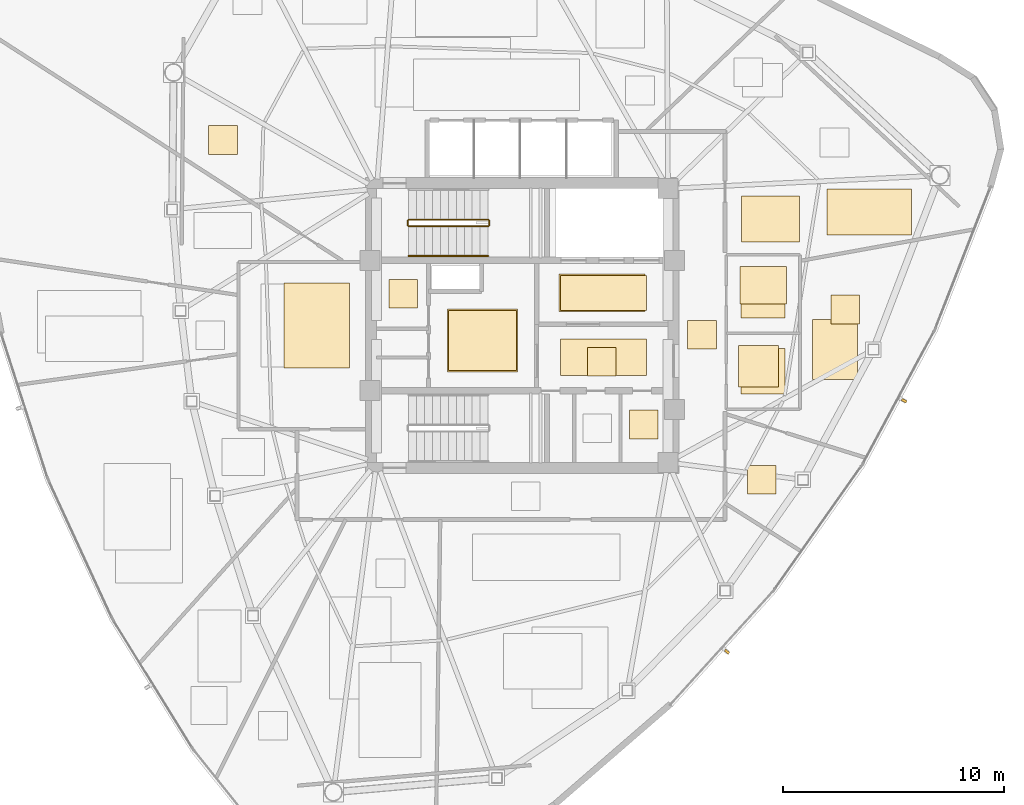
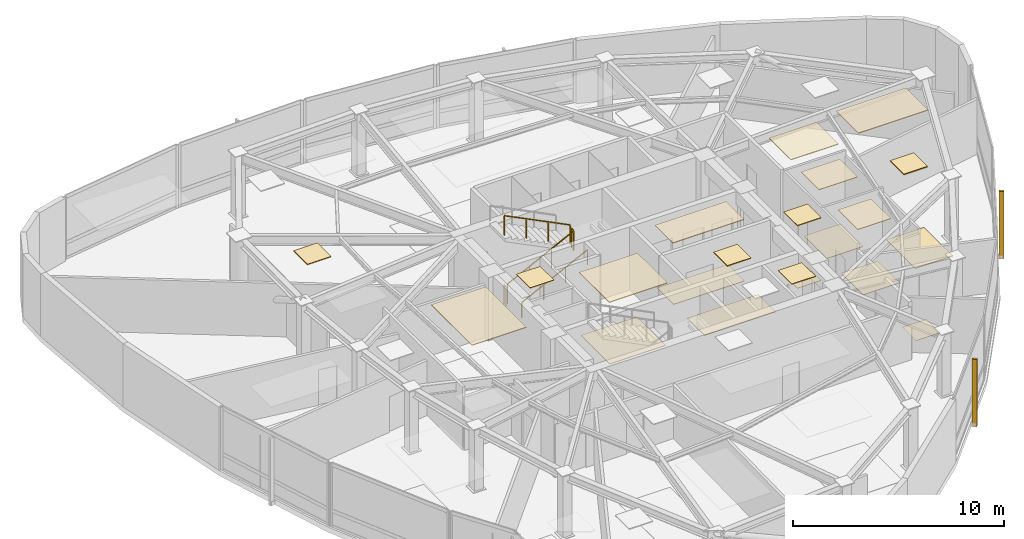
# One storey, part 13 of 14: 21 coverings, 5 railings, 2 shading devices.
"""IFC4 building model written with IfcOpenShell, lengths in metres."""

from ifc_helpers import new_model, si_unit, direction, frame, origin, origin_2d, place, context, subcontext, project, spatial, polyline, rectangle, outline, extrude, source, transform, mapped, material, layer, layer_set, type_object, type_shapes, element, save


model = new_model("IFC4")

# Units and contexts
model_context = context("Model", 3, precision=1e-05, world=origin(), true_north=direction((0.0, 1.0)))
body_context = subcontext(model_context, "Body", "Model", "MODEL_VIEW")
ifc_project = project(units=[si_unit("LENGTHUNIT", "METRE"), si_unit("AREAUNIT", "SQUARE_METRE"), si_unit("VOLUMEUNIT", "CUBIC_METRE"), si_unit("PLANEANGLEUNIT", "RADIAN"), si_unit("MASSUNIT", "GRAM", prefix="KILO")], contexts=[model_context])

# Site, building, storey
site_placement = place(None, origin())
site = spatial("IfcSite", under=ifc_project, at=site_placement, CompositionType="ELEMENT")
building_placement = place(site_placement, origin())
building = spatial("IfcBuilding", under=site, at=building_placement, Name="Tavelor Broadcast Tower", CompositionType="ELEMENT")
storey_placement = place(building_placement, frame((0.0, 0.0, 257.699951171875)))
storey = spatial("IfcBuildingStorey", under=building, at=storey_placement, Name="L61", CompositionType="ELEMENT", Elevation=257.699951171875)

# Coverings
ifc_material_1 = material(Name="Copper-Bronze Anodized Aluminium", Category="aluminium")
ifc_layer_1 = layer(ifc_material_1, 0.044921875)
ifc_layer_set_1 = layer_set([ifc_layer_1], Name="Copper-Bronze Anodized Aluminium")
covering_type_1 = type_object("IfcCoveringType", Name="Anodised Bronze Linear Slatted Concourse Ceiling 45 mm", PredefinedType="CEILING", material=ifc_layer_set_1)
covering_1_placement = place(storey_placement, frame((0.0, 0.0, 3.60498046875)))
element("IfcCovering", 1, at=covering_1_placement, inside=storey, type_object=covering_type_1, Name="L61 Suspended Acoustic Ceiling 2372", PredefinedType="CEILING", context=body_context, shape_type="SweptSolid", body=[
    extrude(outline(polyline([(51.659912109375, 45.6318359375), (55.55712890625, 45.6318359375), (55.55712890625, 47.328125), (51.659912109375, 47.328125), (51.659912109375, 45.6318359375)])), origin(), (0.0, 0.0, 1.0), 0.045166015625),
])
covering_2_placement = place(storey_placement, frame((0.0, 0.0, 3.60498046875)))
element("IfcCovering", 2, at=covering_2_placement, inside=storey, type_object=covering_type_1, Name="L61 Suspended Acoustic Ceiling 2373", PredefinedType="CEILING", context=body_context, shape_type="SweptSolid", body=[
    extrude(outline(polyline([(52.95361328125, 42.705078125), (54.25341796875, 42.705078125), (54.25341796875, 44.0048828125), (52.95361328125, 44.0048828125), (52.95361328125, 42.705078125)])), origin(), (0.0, 0.0, 1.0), 0.045166015625),
])

# Railing
ifc_material_2 = material(Name="Steel S355", Category="steel")
railing_type_1 = type_object("IfcRailingType", Name="Continuous Brushed Stainless Handrail 900 mm", PredefinedType="HANDRAIL", material=ifc_material_2)
railing_1_placement = place(storey_placement, frame((44.85009765625, 48.14990234375, 0.1796875)))
element("IfcRailing", 3, at=railing_1_placement, inside=storey, type_object=railing_type_1, Name="L61 ST1 stair handrail 1", PredefinedType="HANDRAIL", context=body_context, shape_type="SweptSolid", body=[
    extrude(rectangle(XDim=0.048095703125, YDim=0.048095703125, at=origin_2d()), frame((0.0, 0.0, 0.8759765625), z_axis=(0.894875846893, 0.0, 0.446315156192), x_axis=(0.0, 1.0, 0.0)), (0.0, 0.0, 1.0), 4.022705078125),
    extrude(rectangle(XDim=0.0419921875, YDim=0.0419921875, at=origin_2d()), origin(), (0.0, 0.0, 1.0), 0.851806640625),
    extrude(rectangle(XDim=0.0419921875, YDim=0.0419921875, at=origin_2d()), frame((1.199951171875, 0.0, 0.598388671875)), (0.0, 0.0, 1.0), 0.851806640625),
    extrude(rectangle(XDim=0.0419921875, YDim=0.0419921875, at=origin_2d()), frame((2.39990234375, 0.0, 1.197021484375)), (0.0, 0.0, 1.0), 0.851806640625),
    extrude(rectangle(XDim=0.0419921875, YDim=0.0419921875, at=origin_2d()), frame((3.599853515625, 0.0, 1.79541015625)), (0.0, 0.0, 1.0), 0.851806640625),
])

# Coverings
ifc_material_3 = material(Name="Architectural Anodized Aluminium", Category="aluminium")
ifc_layer_2 = layer(ifc_material_3, 0.034912109375)
ifc_layer_set_2 = layer_set([ifc_layer_2], Name="Architectural Anodized Aluminium")
covering_type_2 = type_object("IfcCoveringType", Name="Demountable Metal Tile Corridor Ceiling 35 mm", PredefinedType="CEILING", material=ifc_layer_set_2)
covering_3_placement = place(storey_placement, frame((0.0, 0.0, 3.614990234375)))
element("IfcCovering", 4, at=covering_3_placement, inside=storey, type_object=covering_type_2, Name="L61 Suspended Acoustic Ceiling 2378", PredefinedType="CEILING", context=body_context, shape_type="SweptSolid", body=[
    extrude(outline(polyline([(57.489990234375, 43.925048828125), (58.7900390625, 43.925048828125), (58.7900390625, 45.22509765625), (57.489990234375, 45.22509765625), (57.489990234375, 43.925048828125)])), origin(), (0.0, 0.0, 1.0), 0.03515625),
])
ifc_material_4 = material(Name="Acoustic Nylon Carpet Tile")
ifc_layer_3 = layer(ifc_material_4, 0.02001953125)
ifc_layer_set_3 = layer_set([ifc_layer_3], Name="Acoustic Nylon Carpet Tile")
covering_type_3 = type_object("IfcCoveringType", Name="Heavy-Duty Acoustic Broadcast Carpet Tile 20 mm", PredefinedType="FLOORING", material=ifc_layer_set_3)
covering_4_placement = place(storey_placement, origin())
element("IfcCovering", 5, at=covering_4_placement, inside=storey, type_object=covering_type_3, Name="L61 Broadcast Floor Finish 0896", PredefinedType="FLOORING", context=body_context, shape_type="SweptSolid", body=[
    extrude(outline(polyline([(46.6591796875, 42.953369140625), (49.730712890625, 42.953369140625), (49.730712890625, 45.6865234375), (46.6591796875, 45.6865234375), (46.6591796875, 42.953369140625)])), origin(), (0.0, 0.0, 1.0), 0.02001953125),
])
covering_5_placement = place(storey_placement, origin())
element("IfcCovering", 6, at=covering_5_placement, inside=storey, type_object=covering_type_3, Name="L61 Broadcast Floor Finish 0897", PredefinedType="FLOORING", context=body_context, shape_type="SweptSolid", body=[
    extrude(outline(polyline([(57.489990234375, 43.925048828125), (58.7900390625, 43.925048828125), (58.7900390625, 45.22509765625), (57.489990234375, 45.22509765625), (57.489990234375, 43.925048828125)])), origin(), (0.0, 0.0, 1.0), 0.02001953125),
])
covering_6_placement = place(storey_placement, origin())
element("IfcCovering", 7, at=covering_6_placement, inside=storey, type_object=covering_type_3, Name="L61 Broadcast Floor Finish 0909", PredefinedType="FLOORING", context=body_context, shape_type="SweptSolid", body=[
    extrude(outline(polyline([(60.193115234375, 37.359130859375), (61.4931640625, 37.359130859375), (61.4931640625, 38.6591796875), (60.193115234375, 38.6591796875), (60.193115234375, 37.359130859375)])), origin(), (0.0, 0.0, 1.0), 0.02001953125),
])
ifc_material_5 = material(Name="Honed Natural Limestone Tile", Category="masonry")
ifc_layer_4 = layer(ifc_material_5, 0.030029296875)
ifc_layer_set_4 = layer_set([ifc_layer_4], Name="Honed Natural Limestone Tile")
covering_type_4 = type_object("IfcCoveringType", Name="Honed Jerusalem Limestone Concourse Flooring 30 mm", PredefinedType="FLOORING", material=ifc_layer_set_4)
covering_7_placement = place(storey_placement, origin())
element("IfcCovering", 8, at=covering_7_placement, inside=storey, type_object=covering_type_4, Name="L61 Broadcast Floor Finish 0894", PredefinedType="FLOORING", context=body_context, shape_type="SweptSolid", body=[
    extrude(outline(polyline([(51.7373046875, 45.689453125), (55.62255859375, 45.689453125), (55.62255859375, 47.2705078125), (51.7373046875, 47.2705078125), (51.7373046875, 45.689453125)])), origin(), (0.0, 0.0, 1.0), 0.030029296875),
])
covering_8_placement = place(storey_placement, origin())
element("IfcCovering", 9, at=covering_8_placement, inside=storey, type_object=covering_type_4, Name="L61 Broadcast Floor Finish 0895", PredefinedType="FLOORING", context=body_context, shape_type="SweptSolid", body=[
    extrude(outline(polyline([(51.728759765625, 42.743408203125), (55.62109375, 42.743408203125), (55.62109375, 44.396484375), (51.728759765625, 44.396484375), (51.728759765625, 42.743408203125)])), origin(), (0.0, 0.0, 1.0), 0.030029296875),
])
ifc_material_6 = material(Name="Acoustic Hardwood Studio Flooring", Category="wood")
ifc_layer_5 = layer(ifc_material_6, 0.034912109375)
ifc_layer_set_5 = layer_set([ifc_layer_5], Name="Acoustic Hardwood Studio Flooring")
covering_type_5 = type_object("IfcCoveringType", Name="Isolated Studio Acoustic Elastomeric Floor Finish 35 mm", PredefinedType="FLOORING", material=ifc_layer_set_5)
covering_9_placement = place(storey_placement, origin())
element("IfcCovering", 10, at=covering_9_placement, inside=storey, type_object=covering_type_5, Name="L61 Broadcast Floor Finish 0908", PredefinedType="FLOORING", context=body_context, shape_type="SweptSolid", body=[
    extrude(outline(polyline([(63.135009765625, 42.548583984375), (65.1923828125, 42.548583984375), (65.1923828125, 45.27001953125), (63.135009765625, 45.27001953125), (63.135009765625, 42.548583984375)])), origin(), (0.0, 0.0, 1.0), 0.03515625),
])
ifc_material_7 = material(Name="Acoustic Perforated Timber Baffle", Category="wood")
ifc_layer_6 = layer(ifc_material_7, 0.054931640625)
ifc_layer_set_6 = layer_set([ifc_layer_6], Name="Acoustic Perforated Timber Baffle")
covering_type_6 = type_object("IfcCoveringType", Name="Micro-Perforated Acoustic Baffle Studio Ceiling 55 mm", PredefinedType="CEILING", material=ifc_layer_set_6)
covering_10_placement = place(storey_placement, frame((0.0, 0.0, 3.594970703125)))
element("IfcCovering", 11, at=covering_10_placement, inside=storey, type_object=covering_type_6, Name="L61 Suspended Acoustic Ceiling 2406", PredefinedType="CEILING", context=body_context, shape_type="SweptSolid", body=[
    extrude(outline(polyline([(63.973388671875, 45.072021484375), (65.273193359375, 45.072021484375), (65.273193359375, 46.3720703125), (63.973388671875, 46.3720703125), (63.973388671875, 45.072021484375)])), origin(), (0.0, 0.0, 1.0), 0.05517578125),
])
ifc_layer_7 = layer(ifc_material_3, 0.030029296875)
ifc_layer_set_7 = layer_set([ifc_layer_7], Name="Architectural Anodized Aluminium")
covering_type_7 = type_object("IfcCoveringType", Name="Moisture-Resistant Washroom Ceiling 30 mm", PredefinedType="CEILING", material=ifc_layer_set_7)
covering_11_placement = place(storey_placement, frame((0.0, 0.0, 3.6201171875)))
element("IfcCovering", 12, at=covering_11_placement, inside=storey, type_object=covering_type_7, Name="L61 Suspended Acoustic Ceiling 2376", PredefinedType="CEILING", context=body_context, shape_type="SweptSolid", body=[
    extrude(outline(polyline([(54.843505859375, 39.866455078125), (56.1435546875, 39.866455078125), (56.1435546875, 41.16650390625), (54.843505859375, 41.16650390625), (54.843505859375, 39.866455078125)])), origin(), (0.0, 0.0, 1.0), 0.030029296875),
])
covering_12_placement = place(storey_placement, frame((0.0, 0.0, 3.6201171875)))
element("IfcCovering", 13, at=covering_12_placement, inside=storey, type_object=covering_type_7, Name="L61 Suspended Acoustic Ceiling 2377", PredefinedType="CEILING", context=body_context, shape_type="SweptSolid", body=[
    extrude(outline(polyline([(43.951416015625, 45.794921875), (45.25146484375, 45.794921875), (45.25146484375, 47.094970703125), (43.951416015625, 47.094970703125), (43.951416015625, 45.794921875)])), origin(), (0.0, 0.0, 1.0), 0.030029296875),
])
covering_13_placement = place(storey_placement, frame((0.0, 0.0, 3.6201171875)))
element("IfcCovering", 14, at=covering_13_placement, inside=storey, type_object=covering_type_7, Name="L61 Suspended Acoustic Ceiling 2381", PredefinedType="CEILING", context=body_context, shape_type="SweptSolid", body=[
    extrude(outline(polyline([(59.7958984375, 42.2060546875), (61.615966796875, 42.2060546875), (61.615966796875, 44.0830078125), (59.7958984375, 44.0830078125), (59.7958984375, 42.2060546875)])), origin(), (0.0, 0.0, 1.0), 0.030029296875),
])
covering_14_placement = place(storey_placement, frame((0.0, 0.0, 3.6201171875)))
element("IfcCovering", 15, at=covering_14_placement, inside=storey, type_object=covering_type_7, Name="L61 Suspended Acoustic Ceiling 2382", PredefinedType="CEILING", context=body_context, shape_type="SweptSolid", body=[
    extrude(outline(polyline([(59.85302734375, 45.971435546875), (61.967041015625, 45.971435546875), (61.967041015625, 47.668212890625), (59.85302734375, 47.668212890625), (59.85302734375, 45.971435546875)])), origin(), (0.0, 0.0, 1.0), 0.030029296875),
])
ifc_material_8 = material(Name="Slip-Resistant Porcelain Tile")
ifc_layer_8 = layer(ifc_material_8, 0.02490234375)
ifc_layer_set_8 = layer_set([ifc_layer_8], Name="Slip-Resistant Porcelain Tile")
covering_type_8 = type_object("IfcCoveringType", Name="Slip-Resistant Porcelain Wet-Area Floor Tile 25 mm", PredefinedType="FLOORING", material=ifc_layer_set_8)
covering_15_placement = place(storey_placement, origin())
element("IfcCovering", 16, at=covering_15_placement, inside=storey, type_object=covering_type_8, Name="L61 Broadcast Floor Finish 0899", PredefinedType="FLOORING", context=body_context, shape_type="SweptSolid", body=[
    extrude(outline(polyline([(59.91064453125, 41.885986328125), (61.909423828125, 41.885986328125), (61.909423828125, 43.964111328125), (59.91064453125, 43.964111328125), (59.91064453125, 41.885986328125)])), origin(), (0.0, 0.0, 1.0), 0.025146484375),
])
covering_16_placement = place(storey_placement, origin())
element("IfcCovering", 17, at=covering_16_placement, inside=storey, type_object=covering_type_8, Name="L61 Broadcast Floor Finish 0900", PredefinedType="FLOORING", context=body_context, shape_type="SweptSolid", body=[
    extrude(outline(polyline([(59.91064453125, 45.35009765625), (61.909423828125, 45.35009765625), (61.909423828125, 47.5), (59.91064453125, 47.5), (59.91064453125, 45.35009765625)])), origin(), (0.0, 0.0, 1.0), 0.025146484375),
])

# Railings
railing_type_2 = type_object("IfcRailingType", Name="Stairwell Steel Safety Guardrail 1150 mm", PredefinedType="GUARDRAIL", material=ifc_material_2)
railing_2_placement = place(storey_placement, frame((44.85009765625, 49.5, 0.1796875)))
element("IfcRailing", 18, at=railing_2_placement, inside=storey, type_object=railing_type_2, Name="L61 ST1 stair guard 1", PredefinedType="GUARDRAIL", context=body_context, shape_type="SweptSolid", body=[
    extrude(rectangle(XDim=0.048095703125, YDim=0.048095703125, at=origin_2d()), frame((0.0, 0.0, 1.1259765625), z_axis=(0.894875846893, 0.0, 0.446315156192), x_axis=(0.0, 1.0, 0.0)), (0.0, 0.0, 1.0), 4.022705078125),
    extrude(rectangle(XDim=0.0419921875, YDim=0.0419921875, at=origin_2d()), origin(), (0.0, 0.0, 1.0), 1.101806640625),
    extrude(rectangle(XDim=0.0419921875, YDim=0.0419921875, at=origin_2d()), frame((1.199951171875, 0.0, 0.598388671875)), (0.0, 0.0, 1.0), 1.101806640625),
    extrude(rectangle(XDim=0.0419921875, YDim=0.0419921875, at=origin_2d()), frame((2.39990234375, 0.0, 1.197021484375)), (0.0, 0.0, 1.0), 1.101806640625),
    extrude(rectangle(XDim=0.0419921875, YDim=0.0419921875, at=origin_2d()), frame((3.599853515625, 0.0, 1.79541015625)), (0.0, 0.0, 1.0), 1.101806640625),
])
railing_3_placement = place(storey_placement, frame((48.5, 49.550048828125, 1.97509765625)))
element("IfcRailing", 19, at=railing_3_placement, inside=storey, type_object=railing_type_2, Name="L61 ST1 stair guard 2", PredefinedType="GUARDRAIL", context=body_context, shape_type="SweptSolid", body=[
    extrude(rectangle(XDim=0.048095703125, YDim=0.048095703125, at=origin_2d()), frame((0.0, 0.0, 1.1259765625), z_axis=(0.0, 1.0, 0.0), x_axis=(-1.0, 0.0, 0.0)), (0.0, 0.0, 1.0), 0.199951171875),
    extrude(rectangle(XDim=0.0419921875, YDim=0.0419921875, at=origin_2d()), origin(), (0.0, 0.0, 1.0), 1.101806640625),
    extrude(rectangle(XDim=0.0419921875, YDim=0.0419921875, at=origin_2d()), frame((0.0, 0.199951171875, 0.0)), (0.0, 0.0, 1.0), 1.101806640625),
])
railing_4_placement = place(storey_placement, frame((48.449951171875, 49.800048828125, 2.154541015625)))
element("IfcRailing", 20, at=railing_4_placement, inside=storey, type_object=railing_type_2, Name="L61 ST1 stair guard 3", PredefinedType="GUARDRAIL", context=body_context, shape_type="SweptSolid", body=[
    extrude(rectangle(XDim=0.048095703125, YDim=0.048095703125, at=origin_2d()), frame((0.0, 0.0, 1.1259765625), z_axis=(-0.894875846893, 0.0, 0.446315156192), x_axis=(0.0, -1.0, 0.0)), (0.0, 0.0, 1.0), 4.022705078125),
    extrude(rectangle(XDim=0.0419921875, YDim=0.0419921875, at=origin_2d()), origin(), (0.0, 0.0, 1.0), 1.101806640625),
    extrude(rectangle(XDim=0.0419921875, YDim=0.0419921875, at=origin_2d()), frame((-1.199951171875, 0.0, 0.598388671875)), (0.0, 0.0, 1.0), 1.101806640625),
    extrude(rectangle(XDim=0.0419921875, YDim=0.0419921875, at=origin_2d()), frame((-2.39990234375, 0.0, 1.197021484375)), (0.0, 0.0, 1.0), 1.101806640625),
    extrude(rectangle(XDim=0.0419921875, YDim=0.0419921875, at=origin_2d()), frame((-3.599853515625, 0.0, 1.79541015625)), (0.0, 0.0, 1.0), 1.101806640625),
])
railing_5_placement = place(storey_placement, frame((44.800048828125, 49.550048828125, 0.0)))
element("IfcRailing", 21, at=railing_5_placement, inside=storey, type_object=railing_type_2, Name="L61 ST1 stair guard 4", PredefinedType="GUARDRAIL", context=body_context, shape_type="SweptSolid", body=[
    extrude(rectangle(XDim=0.048095703125, YDim=0.048095703125, at=origin_2d()), frame((0.0, 0.0, 1.1259765625), z_axis=(0.0, 1.0, 0.0), x_axis=(-1.0, 0.0, 0.0)), (0.0, 0.0, 1.0), 0.199951171875),
    extrude(rectangle(XDim=0.0419921875, YDim=0.0419921875, at=origin_2d()), origin(), (0.0, 0.0, 1.0), 1.101806640625),
    extrude(rectangle(XDim=0.0419921875, YDim=0.0419921875, at=origin_2d()), frame((0.0, 0.199951171875, 0.0)), (0.0, 0.0, 1.0), 1.101806640625),
])

# Coverings
ifc_material_9 = material(Name="Acoustic Mineral Fibre Tile")
ifc_layer_9 = layer(ifc_material_9, 0.0400390625)
ifc_layer_set_9 = layer_set([ifc_layer_9], Name="Acoustic Mineral Fibre Tile")
covering_type_9 = type_object("IfcCoveringType", Name="Suspended Acoustic Mineral-Fibre Office Ceiling 40 mm", PredefinedType="CEILING", material=ifc_layer_set_9)
covering_17_placement = place(storey_placement, frame((0.0, 0.0, 3.610107421875)))
element("IfcCovering", 22, at=covering_17_placement, inside=storey, type_object=covering_type_9, Name="L61 Suspended Acoustic Ceiling 2374", PredefinedType="CEILING", context=body_context, shape_type="SweptSolid", body=[
    extrude(outline(polyline([(46.6015625, 42.895751953125), (49.788330078125, 42.895751953125), (49.788330078125, 45.744140625), (46.6015625, 45.744140625), (46.6015625, 42.895751953125)])), origin(), (0.0, 0.0, 1.0), 0.0400390625),
])
covering_18_placement = place(storey_placement, frame((0.0, 0.0, 3.610107421875)))
element("IfcCovering", 23, at=covering_18_placement, inside=storey, type_object=covering_type_9, Name="L61 Suspended Acoustic Ceiling 2380", PredefinedType="CEILING", context=body_context, shape_type="SweptSolid", body=[
    extrude(outline(polyline([(39.194580078125, 43.0712890625), (42.177978515625, 43.0712890625), (42.177978515625, 46.927978515625), (39.194580078125, 46.927978515625), (39.194580078125, 43.0712890625)])), origin(), (0.0, 0.0, 1.0), 0.0400390625),
])
covering_19_placement = place(storey_placement, frame((0.0, 0.0, 3.610107421875)))
element("IfcCovering", 24, at=covering_19_placement, inside=storey, type_object=covering_type_9, Name="L61 Suspended Acoustic Ceiling 2397", PredefinedType="CEILING", context=body_context, shape_type="SweptSolid", body=[
    extrude(outline(polyline([(35.7841796875, 52.7509765625), (37.084228515625, 52.7509765625), (37.084228515625, 54.05078125), (35.7841796875, 54.05078125), (35.7841796875, 52.7509765625)])), origin(), (0.0, 0.0, 1.0), 0.0400390625),
])
covering_20_placement = place(storey_placement, frame((0.0, 0.0, 3.610107421875)))
element("IfcCovering", 25, at=covering_20_placement, inside=storey, type_object=covering_type_9, Name="L61 Suspended Acoustic Ceiling 2404", PredefinedType="CEILING", context=body_context, shape_type="SweptSolid", body=[
    extrude(outline(polyline([(63.806640625, 49.089599609375), (67.62744140625, 49.089599609375), (67.62744140625, 51.193603515625), (63.806640625, 51.193603515625), (63.806640625, 49.089599609375)])), origin(), (0.0, 0.0, 1.0), 0.0400390625),
])
covering_21_placement = place(storey_placement, frame((0.0, 0.0, 3.610107421875)))
element("IfcCovering", 26, at=covering_21_placement, inside=storey, type_object=covering_type_9, Name="L61 Suspended Acoustic Ceiling 2405", PredefinedType="CEILING", context=body_context, shape_type="SweptSolid", body=[
    extrude(outline(polyline([(59.935791015625, 48.783935546875), (62.552734375, 48.783935546875), (62.552734375, 50.8603515625), (59.935791015625, 50.8603515625), (59.935791015625, 48.783935546875)])), origin(), (0.0, 0.0, 1.0), 0.0400390625),
])

# Shading devices
ifc_material_10 = material(Name="Kiln-Fired Glazed Terracotta", Category="masonry")
shading_device_type = type_object("IfcShadingDeviceType", Name="Extruded Terracotta Baguette Sun-Screen 110x240", PredefinedType="JALOUSIE", material=ifc_material_10)
shared_shape = source(origin(), body_context, "Body", "SweptSolid", [
    extrude(rectangle(XDim=0.110107421875, YDim=0.239990234375, at=origin_2d()), origin(), (0.0, 0.0, 1.0), 3.889892578125),
])
type_shapes(shading_device_type, [shared_shape])
for number, where, z_axis, x_axis, name in (
    (27, (59.27197265625, 30.22021484375, -0.259765625), (0.0, 0.0, 1.0), (0.671461958818, 0.741039025868, 0.0), "L61 Terracotta Baguette Fin 639"),
    (28, (67.301025390625, 41.591552734375, -0.259765625), (0.0, 0.0, 1.0), (0.473627127217, 0.88072546481, 0.0), "L61 Terracotta Baguette Fin 640"),
):
    element("IfcShadingDevice", number, at=place(storey_placement, frame(where, z_axis=z_axis, x_axis=x_axis)), inside=storey, type_object=shading_device_type, Name=name, PredefinedType="JALOUSIE", context=body_context, shape_type="MappedRepresentation", body=[
        mapped(shared_shape, transform((0.0, 0.0, 0.0), scale=1.0)),
    ])

save(model, "model.ifc")
